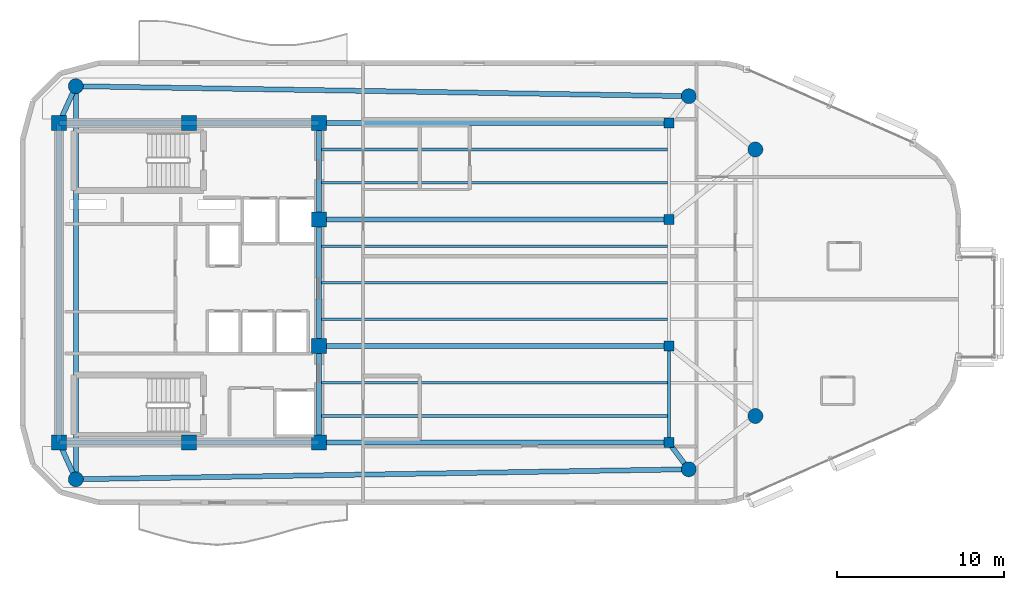
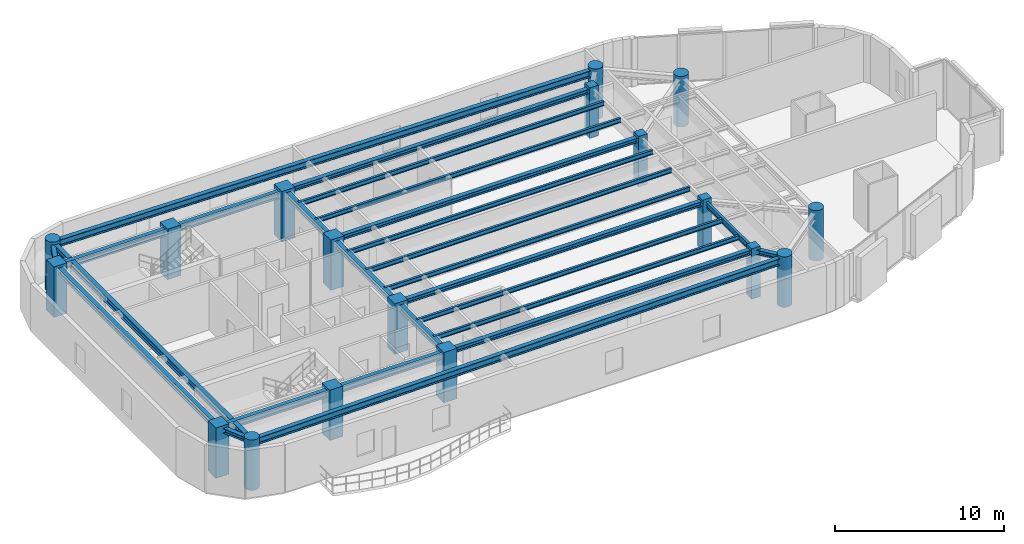
# One storey, part 1 of 13: 24 beams, 18 columns.
"""IFC4 building model written with IfcOpenShell, lengths in metres."""

from ifc_helpers import new_model, si_unit, direction, frame, origin, origin_2d, place, context, subcontext, project, spatial, rectangle, circle, i_section, extrude, material, material_profile, profile_set, type_object, element, save


model = new_model("IFC4")

# Units and contexts
model_context = context("Model", 3, precision=1e-05, world=origin(), true_north=direction((0.0, 1.0)))
body_context = subcontext(model_context, "Body", "Model", "MODEL_VIEW")
ifc_project = project(units=[si_unit("LENGTHUNIT", "METRE"), si_unit("AREAUNIT", "SQUARE_METRE"), si_unit("VOLUMEUNIT", "CUBIC_METRE"), si_unit("PLANEANGLEUNIT", "RADIAN"), si_unit("MASSUNIT", "GRAM", prefix="KILO")], contexts=[model_context])

# Site, building, storey
site_placement = place(None, origin())
site = spatial("IfcSite", under=ifc_project, at=site_placement, CompositionType="ELEMENT")
building_placement = place(site_placement, origin())
building = spatial("IfcBuilding", under=site, at=building_placement, Name="An Khanh Terracotta Commons", CompositionType="ELEMENT")
storey_placement = place(building_placement, frame((0.0, 0.0, 266.10009765625)))
storey = spatial("IfcBuildingStorey", under=building, at=storey_placement, Name="L69", CompositionType="ELEMENT", Elevation=266.10009765625)

# Columns
ifc_material_1 = material(Name="Concrete C50/60", Category="concrete")
ifc_material_profile_1 = material_profile(ifc_material_1, circle(Radius=0.449951171875, at=origin_2d()), Name="CFST900")
ifc_profile_set_1 = profile_set([ifc_material_profile_1], Name="Concrete C50/60")
column_type_1 = type_object("IfcColumnType", Name="COL-CFST900", PredefinedType="COLUMN", material=ifc_profile_set_1)
for number, where, z_axis, x_axis, name in (
    (1, (22.60009765625, 12.199951171875, 0.0), (0.0, 0.0, 1.0), (1.0, 0.0, 0.0), "L69 Perimeter CFST Mega-Column MC-01"),
    (2, (59.39990234375, 12.800048828125, 0.0), (0.0, 0.0, 1.0), (1.0, 0.0, 0.0), "L69 Perimeter CFST Mega-Column MC-02"),
    (3, (63.39990234375, 16.0, 0.0), (0.0, 0.0, 1.0), (1.0, 0.0, 0.0), "L69 Perimeter CFST Mega-Column MC-03"),
    (4, (63.39990234375, 32.0, 0.0), (0.0, 0.0, 1.0), (1.0, 0.0, 0.0), "L69 Perimeter CFST Mega-Column MC-04"),
    (5, (59.39990234375, 35.199951171875, 0.0), (0.0, 0.0, 1.0), (1.0, 0.0, 0.0), "L69 Perimeter CFST Mega-Column MC-05"),
    (6, (22.60009765625, 35.800048828125, 0.0), (0.0, 0.0, 1.0), (1.0, 0.0, 0.0), "L69 Perimeter CFST Mega-Column MC-06"),
):
    element("IfcColumn", number, at=place(storey_placement, frame(where, z_axis=z_axis, x_axis=x_axis)), inside=storey, type_object=column_type_1, Name=name, PredefinedType="COLUMN", context=body_context, shape_type="SweptSolid", body=[
        extrude(circle(Radius=0.449951171875, at=origin_2d()), origin(), (0.0, 0.0, 1.0), 3.64990234375),
    ])
ifc_material_profile_2 = material_profile(ifc_material_1, rectangle(XDim=0.60009765625, YDim=0.60009765625, at=origin_2d()), Name="RC600x600")
ifc_profile_set_2 = profile_set([ifc_material_profile_2], Name="Concrete C50/60")
column_type_2 = type_object("IfcColumnType", Name="COL-RC600x600", PredefinedType="COLUMN", material=ifc_profile_set_2)
for number, where, z_axis, x_axis, name in (
    (7, (58.199951171875, 14.39990234375, 0.0), (0.0, 0.0, 1.0), (1.0, 0.0, 0.0), "L69 Interior Frame Column TC-01"),
    (8, (58.199951171875, 20.199951171875, 0.0), (0.0, 0.0, 1.0), (1.0, 0.0, 0.0), "L69 Interior Frame Column TC-02"),
    (9, (58.199951171875, 27.800048828125, 0.0), (0.0, 0.0, 1.0), (1.0, 0.0, 0.0), "L69 Interior Frame Column TC-03"),
    (10, (58.199951171875, 33.60009765625, 0.0), (0.0, 0.0, 1.0), (1.0, 0.0, 0.0), "L69 Interior Frame Column TC-04"),
):
    element("IfcColumn", number, at=place(storey_placement, frame(where, z_axis=z_axis, x_axis=x_axis)), inside=storey, type_object=column_type_2, Name=name, PredefinedType="COLUMN", context=body_context, shape_type="SweptSolid", body=[
        extrude(rectangle(XDim=0.60009765625, YDim=0.60009765625, at=origin_2d()), origin(), (0.0, 0.0, 1.0), 3.64990234375),
    ])
ifc_material_profile_3 = material_profile(ifc_material_1, rectangle(XDim=0.89990234375, YDim=0.89990234375, at=origin_2d()), Name="RC900x900")
ifc_profile_set_3 = profile_set([ifc_material_profile_3], Name="Concrete C50/60")
column_type_3 = type_object("IfcColumnType", Name="COL-RC900x900", PredefinedType="COLUMN", material=ifc_profile_set_3)
for number, where, z_axis, x_axis, name in (
    (11, (21.60009765625, 14.39990234375, 0.0), (0.0, 0.0, 1.0), (1.0, 0.0, 0.0), "L69 Core Boundary Column CC-01"),
    (12, (29.39990234375, 14.39990234375, 0.0), (0.0, 0.0, 1.0), (1.0, 0.0, 0.0), "L69 Core Boundary Column CC-02"),
    (13, (37.199951171875, 14.39990234375, 0.0), (0.0, 0.0, 1.0), (1.0, 0.0, 0.0), "L69 Core Boundary Column CC-03"),
    (14, (37.199951171875, 20.199951171875, 0.0), (0.0, 0.0, 1.0), (1.0, 0.0, 0.0), "L69 Core Boundary Column CC-04"),
    (15, (37.199951171875, 27.800048828125, 0.0), (0.0, 0.0, 1.0), (1.0, 0.0, 0.0), "L69 Core Boundary Column CC-05"),
    (16, (37.199951171875, 33.60009765625, 0.0), (0.0, 0.0, 1.0), (1.0, 0.0, 0.0), "L69 Core Boundary Column CC-06"),
    (17, (29.39990234375, 33.60009765625, 0.0), (0.0, 0.0, 1.0), (1.0, 0.0, 0.0), "L69 Core Boundary Column CC-07"),
    (18, (21.60009765625, 33.60009765625, 0.0), (0.0, 0.0, 1.0), (1.0, 0.0, 0.0), "L69 Core Boundary Column CC-08"),
):
    element("IfcColumn", number, at=place(storey_placement, frame(where, z_axis=z_axis, x_axis=x_axis)), inside=storey, type_object=column_type_3, Name=name, PredefinedType="COLUMN", context=body_context, shape_type="SweptSolid", body=[
        extrude(rectangle(XDim=0.89990234375, YDim=0.89990234375, at=origin_2d()), origin(), (0.0, 0.0, 1.0), 3.64990234375),
    ])

# Beams
ifc_material_2 = material(Name="Steel S355J2", Category="steel")
ifc_material_profile_4 = material_profile(ifc_material_2, i_section(OverallWidth=0.300048828125, OverallDepth=0.340087890625, WebThickness=0.011962890625, FlangeThickness=0.021484375, FilletRadius=0.027099609375, at=origin_2d()), Name="HEB340")
ifc_profile_set_4 = profile_set([ifc_material_profile_4], Name="Steel S355J2")
beam_type_1 = type_object("IfcBeamType", Name="BM-HEB340", PredefinedType="BEAM", material=ifc_profile_set_4)
for number, where, z_axis, x_axis, name in (
    (19, (37.199951171875, 14.39990234375, 3.27978515625), (1.0, 0.0, 0.0), (0.0, 1.0, 0.0), "L69 East Primary Floor Girder 1"),
    (20, (37.199951171875, 20.199951171875, 3.27978515625), (1.0, 0.0, 0.0), (0.0, 1.0, 0.0), "L69 East Primary Floor Girder 2"),
    (21, (37.199951171875, 27.800048828125, 3.27978515625), (1.0, 0.0, 0.0), (0.0, 1.0, 0.0), "L69 East Primary Floor Girder 3"),
    (22, (37.199951171875, 33.60009765625, 3.27978515625), (1.0, 0.0, 0.0), (0.0, 1.0, 0.0), "L69 East Primary Floor Girder 4"),
):
    element("IfcBeam", number, at=place(storey_placement, frame(where, z_axis=z_axis, x_axis=x_axis)), inside=storey, type_object=beam_type_1, Name=name, PredefinedType="BEAM", context=body_context, shape_type="SweptSolid", body=[
        extrude(i_section(OverallWidth=0.300048828125, OverallDepth=0.340087890625, WebThickness=0.011962890625, FlangeThickness=0.021484375, FilletRadius=0.027099609375, at=origin_2d()), origin(), (0.0, 0.0, 1.0), 21.0),
    ])
beam_1_placement = place(storey_placement, frame((22.60009765625, 12.199951171875, 3.27978515625), z_axis=(-0.413810555983, 0.910363017569, 0.0), x_axis=(-0.910363017569, -0.413810555983, 0.0)))
element("IfcBeam", 23, at=beam_1_placement, inside=storey, type_object=beam_type_1, Name="L69 Mega-Column Tie Girder 1", PredefinedType="BEAM", context=body_context, shape_type="SweptSolid", body=[
    extrude(i_section(OverallWidth=0.300048828125, OverallDepth=0.340087890625, WebThickness=0.011962890625, FlangeThickness=0.021484375, FilletRadius=0.027099609375, at=origin_2d()), origin(), (0.0, 0.0, 1.0), 2.41650390625),
])
beam_2_placement = place(storey_placement, frame((59.39990234375, 12.800048828125, 3.27978515625), z_axis=(-0.600019532502, 0.799985350251, 0.0), x_axis=(-0.799985350251, -0.600019532502, 0.0)))
element("IfcBeam", 24, at=beam_2_placement, inside=storey, type_object=beam_type_1, Name="L69 Mega-Column Tie Girder 2", PredefinedType="BEAM", context=body_context, shape_type="SweptSolid", body=[
    extrude(i_section(OverallWidth=0.300048828125, OverallDepth=0.340087890625, WebThickness=0.011962890625, FlangeThickness=0.021484375, FilletRadius=0.027099609375, at=origin_2d()), origin(), (0.0, 0.0, 1.0), 1.999755859375),
])
beam_3_placement = place(storey_placement, frame((22.60009765625, 35.800048828125, 3.27978515625), z_axis=(-0.413810555983, -0.910363017569, 0.0), x_axis=(0.910363017569, -0.413810555983, 0.0)))
element("IfcBeam", 25, at=beam_3_placement, inside=storey, type_object=beam_type_1, Name="L69 Mega-Column Tie Girder 6", PredefinedType="BEAM", context=body_context, shape_type="SweptSolid", body=[
    extrude(i_section(OverallWidth=0.300048828125, OverallDepth=0.340087890625, WebThickness=0.011962890625, FlangeThickness=0.021484375, FilletRadius=0.027099609375, at=origin_2d()), origin(), (0.0, 0.0, 1.0), 2.41650390625),
])
ifc_material_profile_5 = material_profile(ifc_material_2, i_section(OverallWidth=0.300048828125, OverallDepth=0.449951171875, WebThickness=0.013916015625, FlangeThickness=0.02587890625, FilletRadius=0.027099609375, at=origin_2d()), Name="HEB450")
ifc_profile_set_5 = profile_set([ifc_material_profile_5], Name="Steel S355J2")
beam_type_2 = type_object("IfcBeamType", Name="BM-HEB450", PredefinedType="BEAM", material=ifc_profile_set_5)
beam_4_placement = place(storey_placement, frame((37.199951171875, 14.39990234375, 3.224853515625), z_axis=(0.0, 1.0, 0.0), x_axis=(-1.0, 0.0, 0.0)))
element("IfcBeam", 26, at=beam_4_placement, inside=storey, type_object=beam_type_2, Name="L69 Core East Coupling Girder 1", PredefinedType="BEAM", context=body_context, shape_type="SweptSolid", body=[
    extrude(i_section(OverallWidth=0.300048828125, OverallDepth=0.449951171875, WebThickness=0.013916015625, FlangeThickness=0.02587890625, FilletRadius=0.027099609375, at=origin_2d()), origin(), (0.0, 0.0, 1.0), 5.800048828125),
])
beam_5_placement = place(storey_placement, frame((37.199951171875, 20.199951171875, 3.224853515625), z_axis=(0.0, 1.0, 0.0), x_axis=(-1.0, 0.0, 0.0)))
element("IfcBeam", 27, at=beam_5_placement, inside=storey, type_object=beam_type_2, Name="L69 Core East Coupling Girder 2", PredefinedType="BEAM", context=body_context, shape_type="SweptSolid", body=[
    extrude(i_section(OverallWidth=0.300048828125, OverallDepth=0.449951171875, WebThickness=0.013916015625, FlangeThickness=0.02587890625, FilletRadius=0.027099609375, at=origin_2d()), origin(), (0.0, 0.0, 1.0), 7.60009765625),
])
beam_6_placement = place(storey_placement, frame((37.199951171875, 27.800048828125, 3.224853515625), z_axis=(0.0, 1.0, 0.0), x_axis=(-1.0, 0.0, 0.0)))
element("IfcBeam", 28, at=beam_6_placement, inside=storey, type_object=beam_type_2, Name="L69 Core East Coupling Girder 3", PredefinedType="BEAM", context=body_context, shape_type="SweptSolid", body=[
    extrude(i_section(OverallWidth=0.300048828125, OverallDepth=0.449951171875, WebThickness=0.013916015625, FlangeThickness=0.02587890625, FilletRadius=0.027099609375, at=origin_2d()), origin(), (0.0, 0.0, 1.0), 5.800048828125),
])
beam_7_placement = place(storey_placement, frame((21.60009765625, 14.39990234375, 3.224853515625), z_axis=(0.0, 1.0, 0.0), x_axis=(-1.0, 0.0, 0.0)))
element("IfcBeam", 29, at=beam_7_placement, inside=storey, type_object=beam_type_2, Name="L69 Core West Coupling Girder", PredefinedType="BEAM", context=body_context, shape_type="SweptSolid", body=[
    extrude(i_section(OverallWidth=0.300048828125, OverallDepth=0.449951171875, WebThickness=0.013916015625, FlangeThickness=0.02587890625, FilletRadius=0.027099609375, at=origin_2d()), origin(), (0.0, 0.0, 1.0), 19.2001953125),
])
ifc_material_profile_6 = material_profile(ifc_material_2, i_section(OverallWidth=0.300048828125, OverallDepth=0.5, WebThickness=0.014404296875, FlangeThickness=0.028076171875, FilletRadius=0.027099609375, at=origin_2d()), Name="HEB500")
ifc_profile_set_6 = profile_set([ifc_material_profile_6], Name="Steel S355J2")
beam_type_3 = type_object("IfcBeamType", Name="BM-HEB500", PredefinedType="BEAM", material=ifc_profile_set_6)
for number, where, z_axis, x_axis, name in (
    (30, (21.60009765625, 14.39990234375, 3.199951171875), (1.0, 0.0, 0.0), (0.0, 1.0, 0.0), "L69 Core South Coupling Girder"),
    (31, (21.60009765625, 33.60009765625, 3.199951171875), (1.0, 0.0, 0.0), (0.0, 1.0, 0.0), "L69 Core North Coupling Girder"),
):
    element("IfcBeam", number, at=place(storey_placement, frame(where, z_axis=z_axis, x_axis=x_axis)), inside=storey, type_object=beam_type_3, Name=name, PredefinedType="BEAM", context=body_context, shape_type="SweptSolid", body=[
        extrude(i_section(OverallWidth=0.300048828125, OverallDepth=0.5, WebThickness=0.014404296875, FlangeThickness=0.028076171875, FilletRadius=0.027099609375, at=origin_2d()), origin(), (0.0, 0.0, 1.0), 15.599853515625),
    ])
for number, where, z_axis, x_axis, name in (
    (32, (22.60009765625, 12.199951171875, 3.199951171875), (0.999867065951, 0.01630492031, 0.0), (-0.01630492031, 0.999867065951, 0.0), "L69 Perimeter Ring Spandrel 1"),
    (33, (59.39990234375, 35.199951171875, 3.199951171875), (-0.999867065951, 0.01630492031, 0.0), (-0.01630492031, -0.999867065951, 0.0), "L69 Perimeter Ring Spandrel 5"),
):
    element("IfcBeam", number, at=place(storey_placement, frame(where, z_axis=z_axis, x_axis=x_axis)), inside=storey, type_object=beam_type_3, Name=name, PredefinedType="BEAM", context=body_context, shape_type="SweptSolid", body=[
        extrude(i_section(OverallWidth=0.300048828125, OverallDepth=0.5, WebThickness=0.014404296875, FlangeThickness=0.028076171875, FilletRadius=0.027099609375, at=origin_2d()), origin(), (0.0, 0.0, 1.0), 36.8046875),
    ])
beam_8_placement = place(storey_placement, frame((22.60009765625, 35.800048828125, 3.199951171875), z_axis=(0.0, -1.0, 0.0), x_axis=(1.0, 0.0, 0.0)))
element("IfcBeam", 34, at=beam_8_placement, inside=storey, type_object=beam_type_3, Name="L69 Perimeter Ring Spandrel 6", PredefinedType="BEAM", context=body_context, shape_type="SweptSolid", body=[
    extrude(i_section(OverallWidth=0.300048828125, OverallDepth=0.5, WebThickness=0.014404296875, FlangeThickness=0.028076171875, FilletRadius=0.027099609375, at=origin_2d()), origin(), (0.0, 0.0, 1.0), 23.60009765625),
])
ifc_material_profile_7 = material_profile(ifc_material_2, i_section(OverallWidth=0.159912109375, OverallDepth=0.330078125, WebThickness=0.007568359375, FlangeThickness=0.011474609375, FilletRadius=0.01806640625, at=origin_2d()), Name="IPE330")
ifc_profile_set_7 = profile_set([ifc_material_profile_7], Name="Steel S355J2")
beam_type_4 = type_object("IfcBeamType", Name="BM-IPE330", PredefinedType="JOIST", material=ifc_profile_set_7)
for number, where, z_axis, x_axis, name in (
    (35, (37.199951171875, 16.0, 3.284912109375), (1.0, 0.0, 0.0), (0.0, 1.0, 0.0), "L69 Inboard Composite Joist 1"),
    (36, (37.199951171875, 18.0, 3.284912109375), (1.0, 0.0, 0.0), (0.0, 1.0, 0.0), "L69 Inboard Composite Joist 2"),
    (37, (37.199951171875, 21.800048828125, 3.284912109375), (1.0, 0.0, 0.0), (0.0, 1.0, 0.0), "L69 Inboard Composite Joist 3"),
    (38, (37.199951171875, 24.0, 3.284912109375), (1.0, 0.0, 0.0), (0.0, 1.0, 0.0), "L69 Inboard Composite Joist 4"),
    (39, (37.199951171875, 26.199951171875, 3.284912109375), (1.0, 0.0, 0.0), (0.0, 1.0, 0.0), "L69 Inboard Composite Joist 5"),
    (40, (37.199951171875, 30.0, 3.284912109375), (1.0, 0.0, 0.0), (0.0, 1.0, 0.0), "L69 Inboard Composite Joist 6"),
    (41, (37.199951171875, 32.0, 3.284912109375), (1.0, 0.0, 0.0), (0.0, 1.0, 0.0), "L69 Inboard Composite Joist 7"),
):
    element("IfcBeam", number, at=place(storey_placement, frame(where, z_axis=z_axis, x_axis=x_axis)), inside=storey, type_object=beam_type_4, Name=name, PredefinedType="JOIST", context=body_context, shape_type="SweptSolid", body=[
        extrude(i_section(OverallWidth=0.159912109375, OverallDepth=0.330078125, WebThickness=0.007568359375, FlangeThickness=0.011474609375, FilletRadius=0.01806640625, at=origin_2d()), origin(), (0.0, 0.0, 1.0), 20.91015625),
    ])
ifc_material_profile_8 = material_profile(ifc_material_2, i_section(OverallWidth=0.179931640625, OverallDepth=0.39990234375, WebThickness=0.008544921875, FlangeThickness=0.013427734375, FilletRadius=0.02099609375, at=origin_2d()), Name="IPE400")
ifc_profile_set_8 = profile_set([ifc_material_profile_8], Name="Steel S355J2")
beam_type_5 = type_object("IfcBeamType", Name="BM-IPE400", PredefinedType="JOIST", material=ifc_profile_set_8)
beam_9_placement = place(storey_placement, frame((58.199951171875, 14.550048828125, 3.25), z_axis=(0.0, 1.0, 0.0), x_axis=(-1.0, 0.0, 0.0)))
element("IfcBeam", 42, at=beam_9_placement, inside=storey, type_object=beam_type_5, Name="L69 East Spine Girder 1", PredefinedType="JOIST", context=body_context, shape_type="SweptSolid", body=[
    extrude(i_section(OverallWidth=0.179931640625, OverallDepth=0.39990234375, WebThickness=0.008544921875, FlangeThickness=0.013427734375, FilletRadius=0.02099609375, at=origin_2d()), origin(), (0.0, 0.0, 1.0), 5.5),
])

save(model, "model.ifc")
